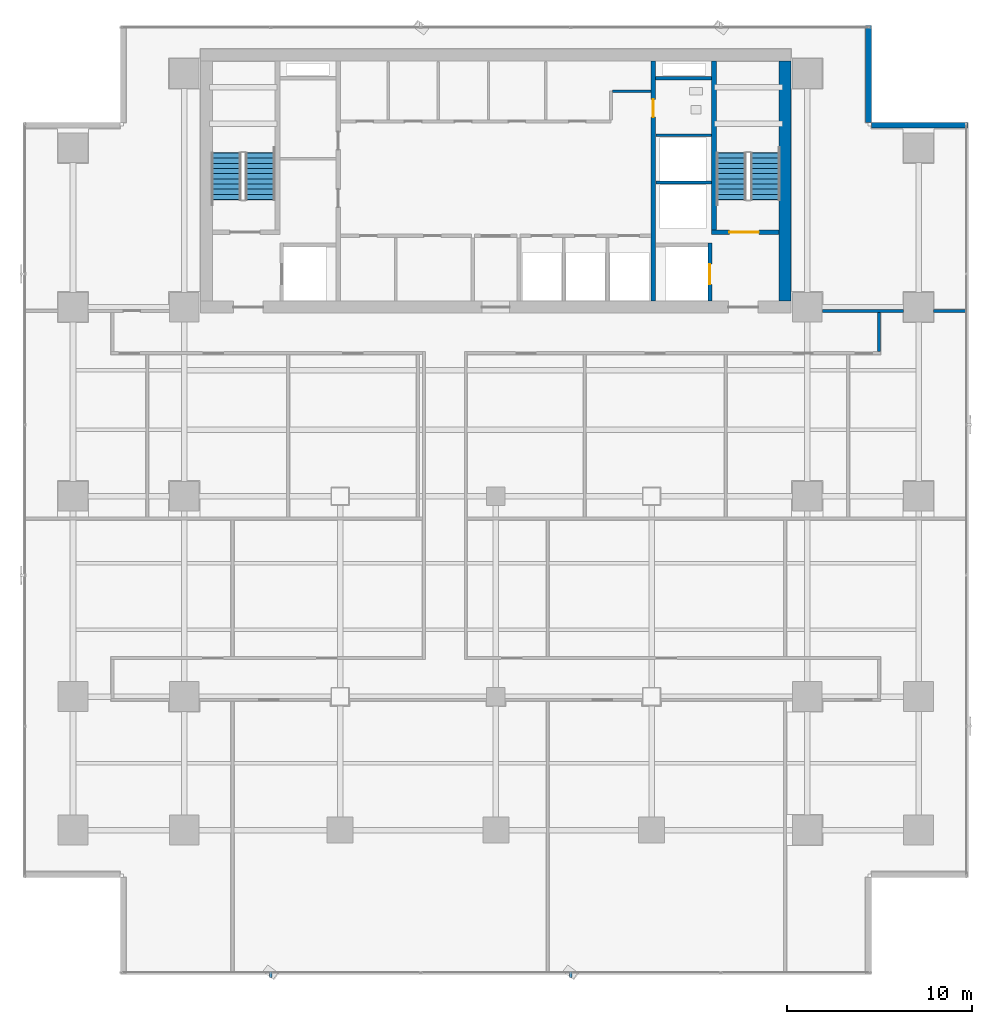
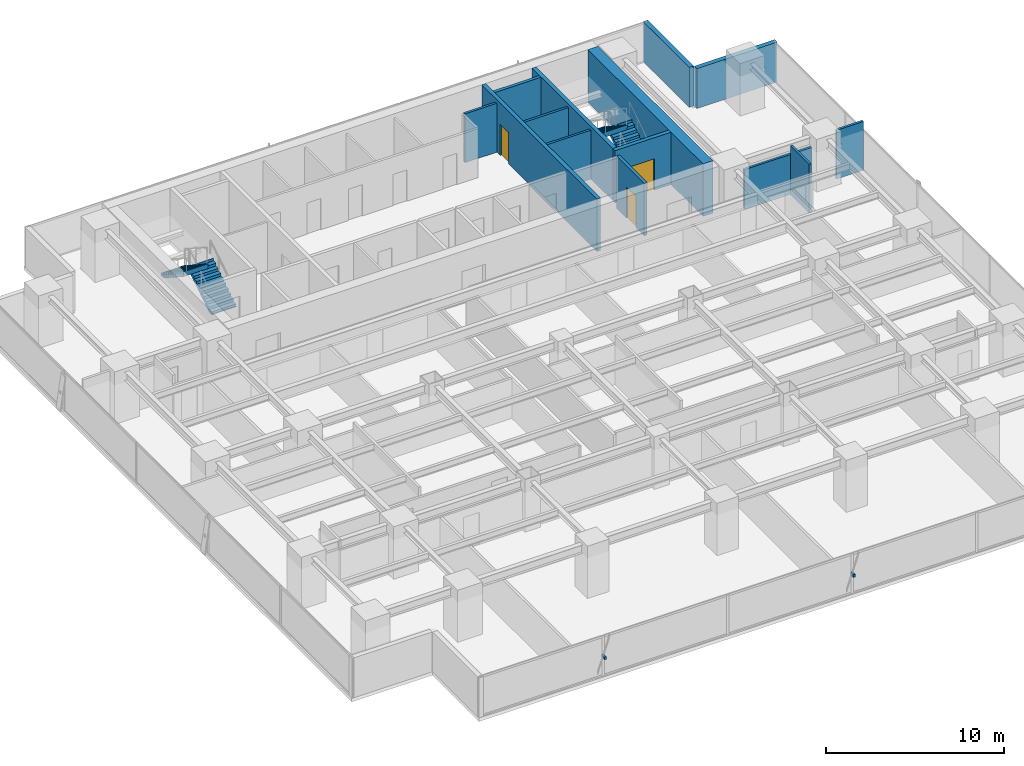
# One storey, part 30 of 36: 14 walls, 4 stair flights, 3 doors, 2 discrete accessories, 3 openings, 2 elements without a shape of their own.
"""IFC4 building model written with IfcOpenShell, lengths in metres."""

from ifc_helpers import new_model, si_unit, direction, frame, frame_2d, origin, origin_2d, place, context, subcontext, project, spatial, polyline, rectangle, outline, extrude, source, transform, mapped, material, layer, layer_set, material_profile, profile_set, type_object, element, fill, aggregate, save


model = new_model("IFC4")

# Units and contexts
model_context = context("Model", 3, precision=1e-05, world=origin(), true_north=direction((0.0, 1.0)))
body_context = subcontext(model_context, "Body", "Model", "MODEL_VIEW")
ifc_project = project(units=[si_unit("LENGTHUNIT", "METRE"), si_unit("AREAUNIT", "SQUARE_METRE"), si_unit("VOLUMEUNIT", "CUBIC_METRE"), si_unit("PLANEANGLEUNIT", "RADIAN"), si_unit("MASSUNIT", "GRAM", prefix="KILO")], contexts=[model_context])

# Site, building, storey
site_placement = place(None, origin())
site = spatial("IfcSite", under=ifc_project, at=site_placement, CompositionType="ELEMENT")
building_placement = place(site_placement, origin())
building = spatial("IfcBuilding", under=site, at=building_placement, Name="Sumidabori Civic Tower", CompositionType="ELEMENT")
storey_placement = place(building_placement, frame((0.0, 0.0, 92.0)))
storey = spatial("IfcBuildingStorey", under=building, at=storey_placement, Name="L23", CompositionType="ELEMENT", Elevation=92.0)

# Walls
ifc_material_1 = material(Name="Concrete C50/60", Category="concrete")
ifc_layer_1 = layer(ifc_material_1, 0.199951171875, Name="Concrete C50/60")
ifc_layer_set_1 = layer_set([ifc_layer_1], Name="Concrete C50/60")
wall_type_1 = type_object("IfcWallType", Name="WL-SHAFT-200", PredefinedType="SHEAR", material=ifc_layer_set_1)
shared_shape_1 = source(origin(), body_context, "Body", "SweptSolid", [
    extrude(rectangle(XDim=3.02001953125, YDim=0.199951171875, at=frame_2d((1.510009765625, 0.0))), origin(), (0.0, 0.0, 1.0), 3.60009765625),
])
wall_1_placement = place(storey_placement, frame((8.625, 22.550048828125, 0.0), z_axis=(0.0, 0.0, 1.0), x_axis=(1.0, 0.0, 0.0)))
element("IfcWall", 1, at=wall_1_placement, inside=storey, type_object=wall_type_1, Name="Core Shear Wall L23 RIS2-S", PredefinedType="SHEAR", context=body_context, shape_type="MappedRepresentation", body=[
    mapped(shared_shape_1, transform((0.0, 0.0, 0.0), x_axis=(1.0, 0.0, 0.0), y_axis=(0.0, 1.0, 0.0), z_axis=(0.0, 0.0, 1.0), scale=1.0)),
])
ifc_material_2 = material(Name="Concrete C60/75", Category="concrete")
ifc_layer_2 = layer(ifc_material_2, 0.64990234375, Name="Concrete C60/75")
ifc_layer_set_2 = layer_set([ifc_layer_2], Name="Concrete C60/75")
wall_type_2 = type_object("IfcWallType", Name="WL-CORE-650", PredefinedType="SHEAR", material=ifc_layer_set_2)
shared_shape_2 = source(origin(), body_context, "Body", "SweptSolid", [
    extrude(rectangle(XDim=12.9501953125, YDim=0.64990234375, at=frame_2d((6.47509765625, 0.0))), origin(), (0.0, 0.0, 1.0), 3.60009765625),
])
wall_2_placement = place(storey_placement, frame((15.60009765625, 10.52490234375, 0.0), z_axis=(0.0, 0.0, 1.0), x_axis=(0.0, 1.0, 0.0)))
element("IfcWall", 2, at=wall_2_placement, inside=storey, type_object=wall_type_2, Name="Core Shear Wall L23 E", PredefinedType="SHEAR", context=body_context, shape_type="MappedRepresentation", body=[
    mapped(shared_shape_2, transform((0.0, 0.0, 0.0), x_axis=(1.0, 0.0, 0.0), y_axis=(0.0, 1.0, 0.0), z_axis=(0.0, 0.0, 1.0), scale=1.0)),
])

# Wall, opening, door
ifc_layer_3 = layer(ifc_material_1, 0.25, Name="Concrete C50/60")
ifc_layer_set_3 = layer_set([ifc_layer_3], Name="Concrete C50/60")
wall_type_3 = type_object("IfcWallType", Name="WL-SHAFT-250", PredefinedType="SHEAR", material=ifc_layer_set_3)
shared_shape_3 = source(origin(), body_context, "Body", "SweptSolid", [
    extrude(rectangle(XDim=12.9501953125, YDim=0.25, at=frame_2d((6.47509765625, 0.0))), origin(), (0.0, 0.0, 1.0), 3.60009765625),
])
wall_3_placement = place(storey_placement, frame((8.5, 10.52490234375, 0.0), z_axis=(0.0, 0.0, 1.0), x_axis=(0.0, 1.0, 0.0)))
wall_3 = element("IfcWall", 3, at=wall_3_placement, inside=storey, type_object=wall_type_3, Name="Core Shear Wall L23 WEB-E", PredefinedType="SHEAR", context=body_context, shape_type="MappedRepresentation", body=[
    mapped(shared_shape_3, transform((0.0, 0.0, 0.0), x_axis=(1.0, 0.0, 0.0), y_axis=(0.0, 1.0, 0.0), z_axis=(0.0, 0.0, 1.0), scale=1.0)),
])
opening_1_placement = place(wall_3_placement, frame((9.925048828125, 0.0, 0.0)))
opening_1 = element("IfcOpeningElement", 4, at=opening_1_placement, cuts=wall_3, Name="Opening DR-2", PredefinedType="OPENING", context=body_context, shape_type="SweptSolid", body=[
    extrude(rectangle(XDim=0.949951171875, YDim=2.14990234375, at=frame_2d((0.47509765625, 1.074951171875))), frame((0.0, 0.136962890625, 0.0), z_axis=(0.0, -1.0, 0.0), x_axis=(1.0, 0.0, 0.0)), (0.0, 0.0, 1.0), 0.27392578125),
])
ifc_material_3 = material(Name="Japanese Hinoki Timber", Category="wood")
door_type_1 = type_object("IfcDoorType", Name="DR-INT-950", OperationType="NOTDEFINED", PredefinedType="DOOR", material=ifc_material_3)
shared_shape_4 = source(origin(), body_context, "Body", "SweptSolid", [
    extrude(rectangle(XDim=0.949951171875, YDim=2.14990234375, at=frame_2d((0.47509765625, 1.074951171875))), frame((0.0, 0.02490234375, 0.0), z_axis=(0.0, -1.0, 0.0), x_axis=(1.0, 0.0, 0.0)), (0.0, 0.0, 1.0), 0.050048828125),
])
door_1_placement = place(opening_1_placement, origin())
door_1 = element("IfcDoor", 5, at=door_1_placement, inside=storey, type_object=door_type_1, Name="Door DR:L23:WC-ACC", OperationType="SINGLE_SWING_RIGHT", OverallHeight=2.14990234375, OverallWidth=0.949951171875, PredefinedType="DOOR", context=body_context, shape_type="MappedRepresentation", body=[
    mapped(shared_shape_4, transform((0.0, 0.0, 0.0), x_axis=(1.0, 0.0, 0.0), y_axis=(0.0, 1.0, 0.0), z_axis=(0.0, 0.0, 1.0), scale=1.0)),
])
fill(opening_1, door_1)

shared_shape_5 = source(origin(), body_context, "Body", "SweptSolid", [
    extrude(rectangle(XDim=3.6298828125, YDim=0.25, at=frame_2d((1.81494140625, 0.0))), origin(), (0.0, 0.0, 1.0), 3.60009765625),
])
wall_4_placement = place(storey_placement, frame((11.64501953125, 14.25, 0.0), z_axis=(0.0, 0.0, 1.0), x_axis=(1.0, 0.0, 0.0)))
wall_4 = element("IfcWall", 6, at=wall_4_placement, inside=storey, type_object=wall_type_3, Name="Core Shear Wall L23 ST2-S", PredefinedType="SHEAR", context=body_context, shape_type="MappedRepresentation", body=[
    mapped(shared_shape_5, transform((0.0, 0.0, 0.0), x_axis=(1.0, 0.0, 0.0), y_axis=(0.0, 1.0, 0.0), z_axis=(0.0, 0.0, 1.0), scale=1.0)),
])
opening_2_placement = place(wall_4_placement, frame((0.949951171875, 0.0, 0.0)))
opening_2 = element("IfcOpeningElement", 7, at=opening_2_placement, cuts=wall_4, Name="Opening DR-FD4", PredefinedType="OPENING", context=body_context, shape_type="SweptSolid", body=[
    extrude(rectangle(XDim=1.60009765625, YDim=2.14990234375, at=frame_2d((0.800048828125, 1.074951171875))), frame((0.0, 0.136962890625, 0.0), z_axis=(0.0, -1.0, 0.0), x_axis=(1.0, 0.0, 0.0)), (0.0, 0.0, 1.0), 0.27392578125),
])
ifc_material_4 = material(Name="Steel SN490", Category="steel")
door_type_2 = type_object("IfcDoorType", Name="DR-FD4", OperationType="DOUBLE_DOOR_SINGLE_SWING", PredefinedType="DOOR", material=ifc_material_4)
shared_shape_6 = source(origin(), body_context, "Body", "SweptSolid", [
    extrude(rectangle(XDim=1.60009765625, YDim=2.14990234375, at=frame_2d((0.800048828125, 1.074951171875))), frame((0.0, 0.02490234375, 0.0), z_axis=(0.0, -1.0, 0.0), x_axis=(1.0, 0.0, 0.0)), (0.0, 0.0, 1.0), 0.050048828125),
])
door_2_placement = place(opening_2_placement, origin())
door_2 = element("IfcDoor", 8, at=door_2_placement, inside=storey, type_object=door_type_2, Name="Door DR:L23:ST2", OperationType="DOUBLE_DOOR_SINGLE_SWING", OverallHeight=2.14990234375, OverallWidth=1.60009765625, PredefinedType="DOOR", context=body_context, shape_type="MappedRepresentation", body=[
    mapped(shared_shape_6, transform((0.0, 0.0, 0.0), x_axis=(1.0, 0.0, 0.0), y_axis=(0.0, 1.0, 0.0), z_axis=(0.0, 0.0, 1.0), scale=1.0)),
])
fill(opening_2, door_2)

# Wall
shared_shape_7 = source(origin(), body_context, "Body", "SweptSolid", [
    extrude(rectangle(XDim=9.10009765625, YDim=0.25, at=frame_2d((4.550048828125, 0.0))), origin(), (0.0, 0.0, 1.0), 3.60009765625),
])
wall_5_placement = place(storey_placement, frame((11.77001953125, 14.375, 0.0), z_axis=(0.0, 0.0, 1.0), x_axis=(0.0, 1.0, 0.0)))
element("IfcWall", 9, at=wall_5_placement, inside=storey, type_object=wall_type_3, Name="Core Shear Wall L23 ST2-W", PredefinedType="SHEAR", context=body_context, shape_type="MappedRepresentation", body=[
    mapped(shared_shape_7, transform((0.0, 0.0, 0.0), x_axis=(1.0, 0.0, 0.0), y_axis=(0.0, 1.0, 0.0), z_axis=(0.0, 0.0, 1.0), scale=1.0)),
])

# Wall, opening, door
shared_shape_8 = source(origin(), body_context, "Body", "SweptSolid", [
    extrude(rectangle(XDim=3.125, YDim=0.199951171875, at=frame_2d((1.5625, 0.0))), origin(), (0.0, 0.0, 1.0), 3.60009765625),
])
wall_6_placement = place(storey_placement, frame((11.550048828125, 10.52490234375, 0.0), z_axis=(0.0, 0.0, 1.0), x_axis=(0.0, 1.0, 0.0)))
wall_6 = element("IfcWall", 10, at=wall_6_placement, inside=storey, type_object=wall_type_1, Name="Core Shear Wall L23 EL2-E", PredefinedType="SHEAR", context=body_context, shape_type="MappedRepresentation", body=[
    mapped(shared_shape_8, transform((0.0, 0.0, 0.0), x_axis=(1.0, 0.0, 0.0), y_axis=(0.0, 1.0, 0.0), z_axis=(0.0, 0.0, 1.0), scale=1.0)),
])
opening_3_placement = place(wall_6_placement, frame((0.89990234375, 0.0, 0.0)))
opening_3 = element("IfcOpeningElement", 11, at=opening_3_placement, cuts=wall_6, Name="Opening LD-2", PredefinedType="OPENING", context=body_context, shape_type="SweptSolid", body=[
    extrude(rectangle(XDim=1.10009765625, YDim=2.14990234375, at=frame_2d((0.550048828125, 1.074951171875))), frame((0.0, 0.11181640625, 0.0), z_axis=(0.0, -1.0, 0.0), x_axis=(1.0, 0.0, 0.0)), (0.0, 0.0, 1.0), 0.223876953125),
])
ifc_material_5 = material(Name="Stainless Steel Hairline Finish", Category="steel")
door_type_3 = type_object("IfcDoorType", Name="DR-LD2", OperationType="DOUBLE_DOOR_SLIDING", PredefinedType="DOOR", material=ifc_material_5)
shared_shape_9 = source(origin(), body_context, "Body", "SweptSolid", [
    extrude(rectangle(XDim=1.10009765625, YDim=2.14990234375, at=frame_2d((0.550048828125, 1.074951171875))), frame((0.0, 0.02490234375, 0.0), z_axis=(0.0, -1.0, 0.0), x_axis=(1.0, 0.0, 0.0)), (0.0, 0.0, 1.0), 0.050048828125),
])
door_3_placement = place(opening_3_placement, origin())
door_3 = element("IfcDoor", 12, at=door_3_placement, inside=storey, type_object=door_type_3, Name="Door DR:L23:LD-EL2", OperationType="DOUBLE_DOOR_SLIDING", OverallHeight=2.14990234375, OverallWidth=1.10009765625, PredefinedType="DOOR", context=body_context, shape_type="MappedRepresentation", body=[
    mapped(shared_shape_9, transform((0.0, 0.0, 0.0), x_axis=(1.0, 0.0, 0.0), y_axis=(0.0, 1.0, 0.0), z_axis=(0.0, 0.0, 1.0), scale=1.0)),
])
fill(opening_3, door_3)

# Walls
ifc_material_6 = material(Name="Precast concrete C40/50", Category="concrete")
ifc_layer_4 = layer(ifc_material_6, 0.300048828125, Name="Precast concrete C40/50")
ifc_layer_set_4 = layer_set([ifc_layer_4], Name="Precast concrete C40/50")
wall_type_4 = type_object("IfcWallType", Name="WL-EXT-POD300", PredefinedType="STANDARD", material=ifc_layer_set_4)
shared_shape_10 = source(origin(), body_context, "Body", "SweptSolid", [
    extrude(rectangle(XDim=5.2099609375, YDim=0.300048828125, at=frame_2d((2.60498046875, 0.0))), origin(), (0.0, 0.0, 1.0), 2.739990234375),
])
for number, where, z_axis, x_axis, name in (
    (13, (25.47998046875, 20.0, 0.0), (0.0, 0.0, 1.0), (-1.0, 0.0, 0.0), "Notched Corner Spandrel Band L23-05"),
    (14, (20.10009765625, 20.169921875, 0.0), (0.0, 0.0, 1.0), (0.0, 1.0, 0.0), "Notched Corner Spandrel Band L23-06"),
):
    element("IfcWall", number, at=place(storey_placement, frame(where, z_axis=z_axis, x_axis=x_axis)), inside=storey, type_object=wall_type_4, Name=name, PredefinedType="STANDARD", context=body_context, shape_type="MappedRepresentation", body=[
        mapped(shared_shape_10, transform((0.0, 0.0, 0.0), x_axis=(1.0, 0.0, 0.0), y_axis=(0.0, 1.0, 0.0), z_axis=(0.0, 0.0, 1.0), scale=1.0)),
    ])
ifc_material_7 = material(Name="Gypsum Plasterboard Acoustic Partition")
ifc_layer_5 = layer(ifc_material_7, 0.14990234375, Name="Gypsum Plasterboard Acoustic Partition")
ifc_layer_set_5 = layer_set([ifc_layer_5], Name="Gypsum Plasterboard Acoustic Partition")
wall_type_5 = type_object("IfcWallType", Name="WL-PART-150", PredefinedType="PARTITIONING", material=ifc_layer_set_5)
shared_shape_11 = source(origin(), body_context, "Body", "SweptSolid", [
    extrude(rectangle(XDim=3.010009765625, YDim=0.14990234375, at=frame_2d((1.5048828125, 0.0))), origin(), (0.0, 0.0, 1.0), 3.360107421875),
])
for number, where, z_axis, x_axis, name in (
    (15, (8.6298828125, 16.919921875, 0.0), (0.0, 0.0, 1.0), (1.0, 0.0, 0.0), "Interior Partition WL:L23:DIV-OBS1"),
    (16, (8.6298828125, 19.469970703125, 0.0), (0.0, 0.0, 1.0), (1.0, 0.0, 0.0), "Interior Partition WL:L23:DIV-OBS2"),
):
    element("IfcWall", number, at=place(storey_placement, frame(where, z_axis=z_axis, x_axis=x_axis)), inside=storey, type_object=wall_type_5, Name=name, PredefinedType="PARTITIONING", context=body_context, shape_type="MappedRepresentation", body=[
        mapped(shared_shape_11, transform((0.0, 0.0, 0.0), x_axis=(1.0, 0.0, 0.0), y_axis=(0.0, 1.0, 0.0), z_axis=(0.0, 0.0, 1.0), scale=1.0)),
    ])
shared_shape_12 = source(origin(), body_context, "Body", "SweptSolid", [
    extrude(rectangle(XDim=2.070068359375, YDim=0.14990234375, at=frame_2d((1.03515625, 0.0))), origin(), (0.0, 0.0, 1.0), 3.360107421875),
])
wall_7_placement = place(storey_placement, frame((6.300048828125, 21.85009765625, 0.0), z_axis=(0.0, 0.0, 1.0), x_axis=(1.0, 0.0, 0.0)))
element("IfcWall", 17, at=wall_7_placement, inside=storey, type_object=wall_type_5, Name="Interior Partition WL:L23:CBAND-ME2", PredefinedType="PARTITIONING", context=body_context, shape_type="MappedRepresentation", body=[
    mapped(shared_shape_12, transform((0.0, 0.0, 0.0), x_axis=(1.0, 0.0, 0.0), y_axis=(0.0, 1.0, 0.0), z_axis=(0.0, 0.0, 1.0), scale=1.0)),
])
shared_shape_13 = source(origin(), body_context, "Body", "SweptSolid", [
    extrude(rectangle(XDim=1.739990234375, YDim=0.14990234375, at=frame_2d((0.8701171875, 0.0))), origin(), (0.0, 0.0, 1.0), 3.360107421875),
])
wall_8_placement = place(storey_placement, frame((23.610107421875, 10.0, 0.0), z_axis=(0.0, 0.0, 1.0), x_axis=(1.0, 0.0, 0.0)))
element("IfcWall", 18, at=wall_8_placement, inside=storey, type_object=wall_type_5, Name="Interior Partition WL:L23:FLK-NE-2", PredefinedType="PARTITIONING", context=body_context, shape_type="MappedRepresentation", body=[
    mapped(shared_shape_13, transform((0.0, 0.0, 0.0), x_axis=(1.0, 0.0, 0.0), y_axis=(0.0, 1.0, 0.0), z_axis=(0.0, 0.0, 1.0), scale=1.0)),
])
shared_shape_14 = source(origin(), body_context, "Body", "SweptSolid", [
    extrude(rectangle(XDim=4.3798828125, YDim=0.14990234375, at=frame_2d((2.18994140625, 0.0))), origin(), (0.0, 0.0, 1.0), 2.7451171875),
])
wall_9_placement = place(storey_placement, frame((17.610107421875, 10.0, 0.0), z_axis=(0.0, 0.0, 1.0), x_axis=(1.0, 0.0, 0.0)))
element("IfcWall", 19, at=wall_9_placement, inside=storey, type_object=wall_type_5, Name="Interior Partition WL:L23:FLK-NE-1", PredefinedType="PARTITIONING", context=body_context, shape_type="MappedRepresentation", body=[
    mapped(shared_shape_14, transform((0.0, 0.0, 0.0), x_axis=(1.0, 0.0, 0.0), y_axis=(0.0, 1.0, 0.0), z_axis=(0.0, 0.0, 1.0), scale=1.0)),
])
shared_shape_15 = source(origin(), body_context, "Body", "SweptSolid", [
    extrude(rectangle(XDim=2.114990234375, YDim=0.14990234375, at=frame_2d((1.0576171875, 0.0))), origin(), (0.0, 0.0, 1.0), 3.360107421875),
])
wall_10_placement = place(storey_placement, frame((20.675048828125, 7.804931640625, 0.0), z_axis=(0.0, 0.0, 1.0), x_axis=(0.0, 1.0, 0.0)))
element("IfcWall", 20, at=wall_10_placement, inside=storey, type_object=wall_type_5, Name="Interior Partition WL:L23:CORR-VNE", PredefinedType="PARTITIONING", context=body_context, shape_type="MappedRepresentation", body=[
    mapped(shared_shape_15, transform((0.0, 0.0, 0.0), x_axis=(1.0, 0.0, 0.0), y_axis=(0.0, 1.0, 0.0), z_axis=(0.0, 0.0, 1.0), scale=1.0)),
])

# Stair, stair flights
ifc_material_8 = material(Name="Concrete C40/50", Category="concrete")
stair_type = type_object("IfcStairType", Name="ST-CORE-1600", PredefinedType="HALF_TURN_STAIR", material=ifc_material_8)
stair_1_placement = place(storey_placement, origin())
stair_1 = element("IfcStair", 21, at=stair_1_placement, inside=storey, type_object=stair_type, Name="L23 ST-1", PredefinedType="HALF_TURN_STAIR")
stair_flight_type = type_object("IfcStairFlightType", Name="SF-CORE-1600", PredefinedType="STRAIGHT", material=ifc_material_8)
shared_shape_16 = source(origin(), body_context, "Body", "SweptSolid", [
    extrude(outline(polyline([(-0.02490234375, 0.0), (-0.02490234375, 0.0400390625), (0.0, 0.0400390625), (0.0, 0.179931640625), (0.280029296875, 0.179931640625), (0.280029296875, 0.360107421875), (0.56005859375, 0.360107421875), (0.56005859375, 0.5400390625), (0.840087890625, 0.5400390625), (0.840087890625, 0.719970703125), (1.1201171875, 0.719970703125), (1.1201171875, 0.89990234375), (1.39990234375, 0.89990234375), (1.39990234375, 1.080078125), (1.679931640625, 1.080078125), (1.679931640625, 1.260009765625), (1.9599609375, 1.260009765625), (1.9599609375, 1.43994140625), (2.239990234375, 1.43994140625), (2.239990234375, 1.6201171875), (2.52001953125, 1.6201171875), (2.52001953125, 1.800048828125), (2.544921875, 1.800048828125), (2.544921875, 1.650146484375), (2.52001953125, 1.44189453125), (0.277099609375, 0.0), (-0.02490234375, 0.0)])), frame((0.0, 0.800048828125, 0.0), z_axis=(0.0, -1.0, 0.0), x_axis=(1.0, 0.0, 0.0)), (0.0, 0.0, 1.0), 1.60009765625),
])
stair_flight_1_placement = place(storey_placement, frame((-12.699951171875, 16.0, 0.0), z_axis=(0.0, 0.0, 1.0), x_axis=(0.0, 1.0, 0.0)))
stair_flight_1 = element("IfcStairFlight", 22, at=stair_flight_1_placement, type_object=stair_flight_type, Name="ST-1 flight 1", NumberOfRisers=10, NumberOfTreads=9, PredefinedType="STRAIGHT", RiserHeight=0.18, TreadLength=0.28, context=body_context, shape_type="MappedRepresentation", body=[
    mapped(shared_shape_16, transform((0.0, 0.0, 0.0), x_axis=(1.0, 0.0, 0.0), y_axis=(0.0, 1.0, 0.0), z_axis=(0.0, 0.0, 1.0), scale=1.0)),
])
stair_flight_2_placement = place(storey_placement, frame((-14.5400390625, 18.52001953125, 1.800048828125), z_axis=(0.0, 0.0, 1.0), x_axis=(0.0, -1.0, 0.0)))
stair_flight_2 = element("IfcStairFlight", 23, at=stair_flight_2_placement, type_object=stair_flight_type, Name="ST-1 flight 2", NumberOfRisers=10, NumberOfTreads=9, PredefinedType="STRAIGHT", RiserHeight=0.18, TreadLength=0.28, context=body_context, shape_type="MappedRepresentation", body=[
    mapped(shared_shape_16, transform((0.0, 0.0, 0.0), x_axis=(1.0, 0.0, 0.0), y_axis=(0.0, 1.0, 0.0), z_axis=(0.0, 0.0, 1.0), scale=1.0)),
])
aggregate(stair_1, [stair_flight_1, stair_flight_2])

stair_2_placement = place(storey_placement, origin())
stair_2 = element("IfcStair", 24, at=stair_2_placement, inside=storey, type_object=stair_type, Name="L23 ST-2", PredefinedType="HALF_TURN_STAIR")
stair_flight_3_placement = place(storey_placement, frame((14.5400390625, 16.0, 0.0), z_axis=(0.0, 0.0, 1.0), x_axis=(0.0, 1.0, 0.0)))
stair_flight_3 = element("IfcStairFlight", 25, at=stair_flight_3_placement, type_object=stair_flight_type, Name="ST-2 flight 1", NumberOfRisers=10, NumberOfTreads=9, PredefinedType="STRAIGHT", RiserHeight=0.18, TreadLength=0.28, context=body_context, shape_type="MappedRepresentation", body=[
    mapped(shared_shape_16, transform((0.0, 0.0, 0.0), x_axis=(1.0, 0.0, 0.0), y_axis=(0.0, 1.0, 0.0), z_axis=(0.0, 0.0, 1.0), scale=1.0)),
])
stair_flight_4_placement = place(storey_placement, frame((12.699951171875, 18.52001953125, 1.800048828125), z_axis=(0.0, 0.0, 1.0), x_axis=(0.0, -1.0, 0.0)))
stair_flight_4 = element("IfcStairFlight", 26, at=stair_flight_4_placement, type_object=stair_flight_type, Name="ST-2 flight 2", NumberOfRisers=10, NumberOfTreads=9, PredefinedType="STRAIGHT", RiserHeight=0.18, TreadLength=0.28, context=body_context, shape_type="MappedRepresentation", body=[
    mapped(shared_shape_16, transform((0.0, 0.0, 0.0), x_axis=(1.0, 0.0, 0.0), y_axis=(0.0, 1.0, 0.0), z_axis=(0.0, 0.0, 1.0), scale=1.0)),
])
aggregate(stair_2, [stair_flight_3, stair_flight_4])

# Discrete accessories
ifc_material_profile = material_profile(ifc_material_5, rectangle(XDim=0.1201171875, YDim=0.179931640625, at=origin_2d()), Name="STEEL BRACKET 180x120")
ifc_profile_set = profile_set([ifc_material_profile], Name="Stainless Steel Hairline Finish")
discrete_accessory_type = type_object("IfcDiscreteAccessoryType", Name="AC-BRK-180", PredefinedType="BRACKET", material=ifc_profile_set)
shared_shape_17 = source(origin(), body_context, "Body", "SweptSolid", [
    extrude(rectangle(XDim=0.1201171875, YDim=0.179931640625, at=origin_2d()), origin(), (0.0, 0.0, 1.0), 0.330078125),
])
for number, where, z_axis, x_axis, name in (
    (27, (-12.132080078125, -25.6298828125, 1.360107421875), (0.0, -1.0, 0.0), (1.0, 0.0, 0.0), "Bronze Fin Fixing Bracket L23-01"),
    (28, (4.0439453125, -25.6298828125, 1.360107421875), (0.0, -1.0, 0.0), (1.0, 0.0, 0.0), "Bronze Fin Fixing Bracket L23-03"),
):
    element("IfcDiscreteAccessory", number, at=place(storey_placement, frame(where, z_axis=z_axis, x_axis=x_axis)), inside=storey, type_object=discrete_accessory_type, Name=name, PredefinedType="BRACKET", context=body_context, shape_type="MappedRepresentation", body=[
        mapped(shared_shape_17, transform((0.0, 0.0, 0.0), x_axis=(1.0, 0.0, 0.0), y_axis=(0.0, 1.0, 0.0), z_axis=(0.0, 0.0, 1.0), scale=1.0)),
    ])

save(model, "model.ifc")
